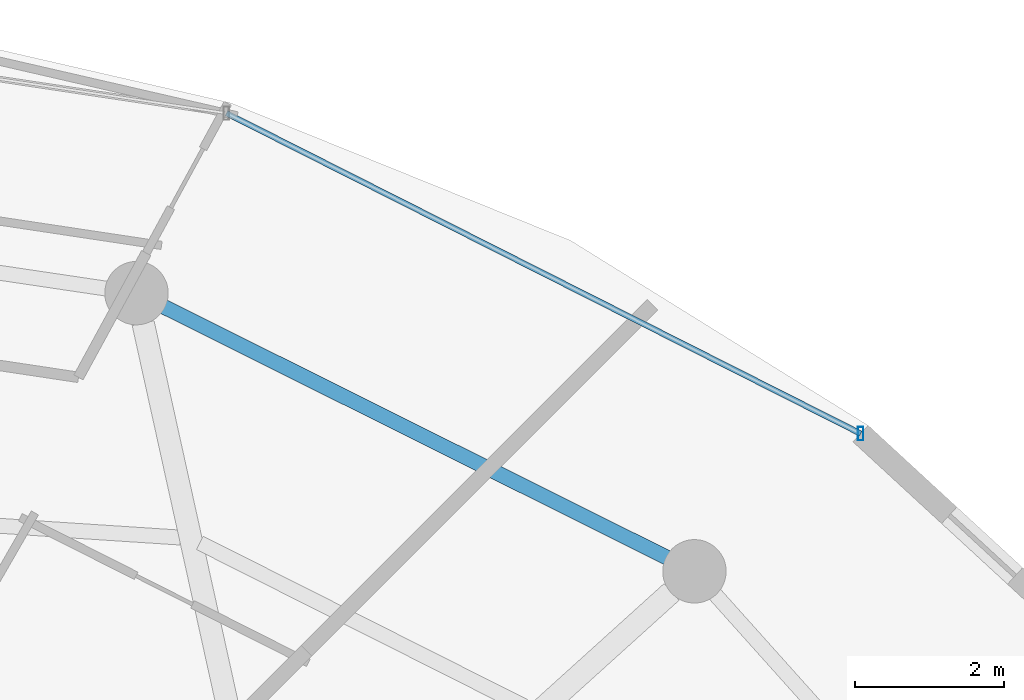
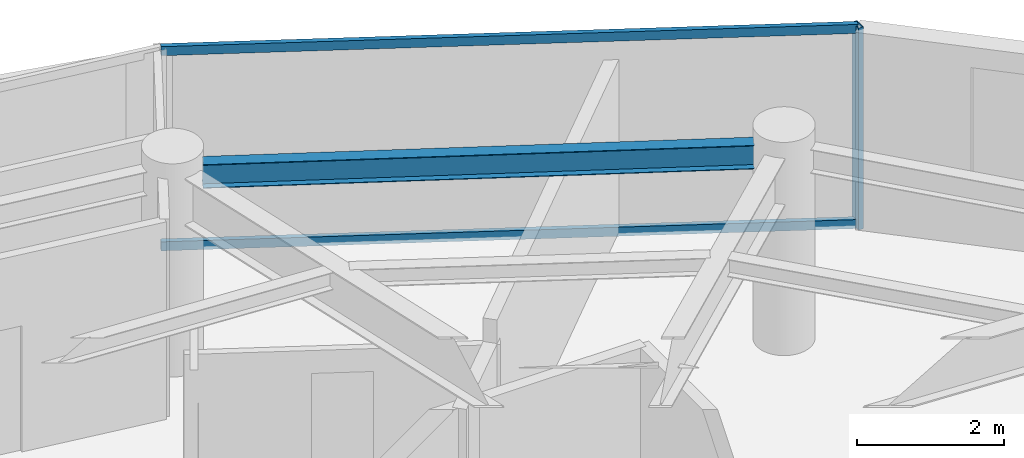
# One storey, part 19 of 29: 3 members, 1 beam, 1 element without a shape of its own.
"""IFC4 building model written with IfcOpenShell, lengths in metres."""

from ifc_helpers import new_model, si_unit, direction, frame, origin, origin_2d, place, context, subcontext, project, spatial, hollow_rectangle, i_section, extrude, material, material_profile, profile_set, type_object, element, aggregate, save


model = new_model("IFC4")

# Units and contexts
model_context = context("Model", 3, precision=1e-05, world=origin(), true_north=direction((0.0, 1.0)))
body_context = subcontext(model_context, "Body", "Model", "MODEL_VIEW")
ifc_project = project(units=[si_unit("LENGTHUNIT", "METRE"), si_unit("AREAUNIT", "SQUARE_METRE"), si_unit("VOLUMEUNIT", "CUBIC_METRE"), si_unit("PLANEANGLEUNIT", "RADIAN"), si_unit("MASSUNIT", "GRAM", prefix="KILO")], contexts=[model_context])

# Site, building, storey
site_placement = place(None, origin())
site = spatial("IfcSite", under=ifc_project, at=site_placement, CompositionType="ELEMENT")
building_placement = place(site_placement, origin())
building = spatial("IfcBuilding", under=site, at=building_placement, Name="Vorneva Point Tower", CompositionType="ELEMENT")
storey_placement = place(building_placement, frame((0.0, 0.0, 273.300048828125)))
storey = spatial("IfcBuildingStorey", under=building, at=storey_placement, Name="L74", CompositionType="ELEMENT", Elevation=273.300048828125)

# Beam
ifc_material_1 = material(Name="Steel S355", Category="steel")
ifc_material_profile_1 = material_profile(ifc_material_1, i_section(OverallWidth=0.198974609375, OverallDepth=0.39599609375, WebThickness=0.007080078125, FlangeThickness=0.010986328125, at=origin_2d()), Name="40B1")
ifc_profile_set_1 = profile_set([ifc_material_profile_1], Name="Steel S355")
beam_type = type_object("IfcBeamType", Name="BM-SPN-40B1", PredefinedType="SPANDREL", material=ifc_profile_set_1)
beam_placement = place(storey_placement, frame((53.931884765625, 38.34521484375, 3.092041015625), z_axis=(-0.894932011528, 0.446202526599, 0.0), x_axis=(-0.446202526599, -0.894932011528, 0.0)))
element("IfcBeam", 1, at=beam_placement, inside=storey, type_object=beam_type, Name="L74 Perimeter Spandrel Ring Beam 03", PredefinedType="SPANDREL", context=body_context, shape_type="SweptSolid", body=[
    extrude(i_section(OverallWidth=0.198974609375, OverallDepth=0.39599609375, WebThickness=0.007080078125, FlangeThickness=0.010986328125, at=origin_2d()), origin(), (0.0, 0.0, 1.0), 7.535888671875),
])

# Curtain wall, members
ifc_material_2 = material(Name="Pale anodised aluminium", Category="aluminium")
curtain_wall_type = type_object("IfcCurtainWallType", Name="CW-RES-SYS", PredefinedType="NOTDEFINED", material=ifc_material_2)
curtain_wall_placement = place(storey_placement, origin())
curtain_wall = element("IfcCurtainWall", 2, at=curtain_wall_placement, inside=storey, type_object=curtain_wall_type, Name="L74 Unitised Curtain Wall CW-L74-R02", PredefinedType="NOTDEFINED")
ifc_material_profile_2 = material_profile(ifc_material_2, hollow_rectangle(XDim=0.074951171875, YDim=0.179931640625, WallThickness=0.00390625, at=origin_2d()), Name="AL-MUL 180x75x4")
ifc_profile_set_2 = profile_set([ifc_material_profile_2], Name="Pale anodised aluminium")
member_type_1 = type_object("IfcMemberType", Name="CW-MUL-180", PredefinedType="MULLION", material=ifc_profile_set_2)
member_1_placement = place(storey_placement, frame((56.526123046875, 40.0078125, -0.0400390625), z_axis=(0.0, 0.0, 1.0), x_axis=(1.0, 0.0, 0.0)))
member_1 = element("IfcMember", 3, at=member_1_placement, type_object=member_type_1, Name="CW-L74-R02 Mullion 01", PredefinedType="MULLION", context=body_context, shape_type="SweptSolid", body=[
    extrude(hollow_rectangle(XDim=0.074951171875, YDim=0.179931640625, WallThickness=0.00390625, at=origin_2d()), origin(), (0.0, 0.0, 1.0), 3.360107421875),
])
ifc_material_profile_3 = material_profile(ifc_material_2, hollow_rectangle(XDim=0.074951171875, YDim=0.14990234375, WallThickness=0.00390625, at=origin_2d()), Name="AL-TRN 150x75x4")
ifc_profile_set_3 = profile_set([ifc_material_profile_3], Name="Pale anodised aluminium")
member_type_2 = type_object("IfcMemberType", Name="CW-TRN-150", PredefinedType="USERDEFINED", material=ifc_profile_set_3)
member_2_placement = place(storey_placement, frame((56.526123046875, 40.0078125, 0.02001953125), z_axis=(-0.892558185815, 0.450932239848, 0.0), x_axis=(-0.450932239848, -0.892558185815, 0.0)))
member_2 = element("IfcMember", 4, at=member_2_placement, type_object=member_type_2, Name="CW-L74-R02 Transom 01.1", ObjectType="TRANSOM", PredefinedType="USERDEFINED", context=body_context, shape_type="SweptSolid", body=[
    extrude(hollow_rectangle(XDim=0.074951171875, YDim=0.14990234375, WallThickness=0.00390625, at=origin_2d()), origin(), (0.0, 0.0, 1.0), 9.52294921875),
])
member_3_placement = place(storey_placement, frame((56.526123046875, 40.0078125, 3.27001953125), z_axis=(-0.892558185815, 0.450932239848, 0.0), x_axis=(-0.450932239848, -0.892558185815, 0.0)))
member_3 = element("IfcMember", 5, at=member_3_placement, type_object=member_type_2, Name="CW-L74-R02 Transom 01.2", ObjectType="TRANSOM", PredefinedType="USERDEFINED", context=body_context, shape_type="SweptSolid", body=[
    extrude(hollow_rectangle(XDim=0.074951171875, YDim=0.14990234375, WallThickness=0.00390625, at=origin_2d()), origin(), (0.0, 0.0, 1.0), 9.52294921875),
])
aggregate(curtain_wall, [member_1, member_2, member_3])

save(model, "model.ifc")
